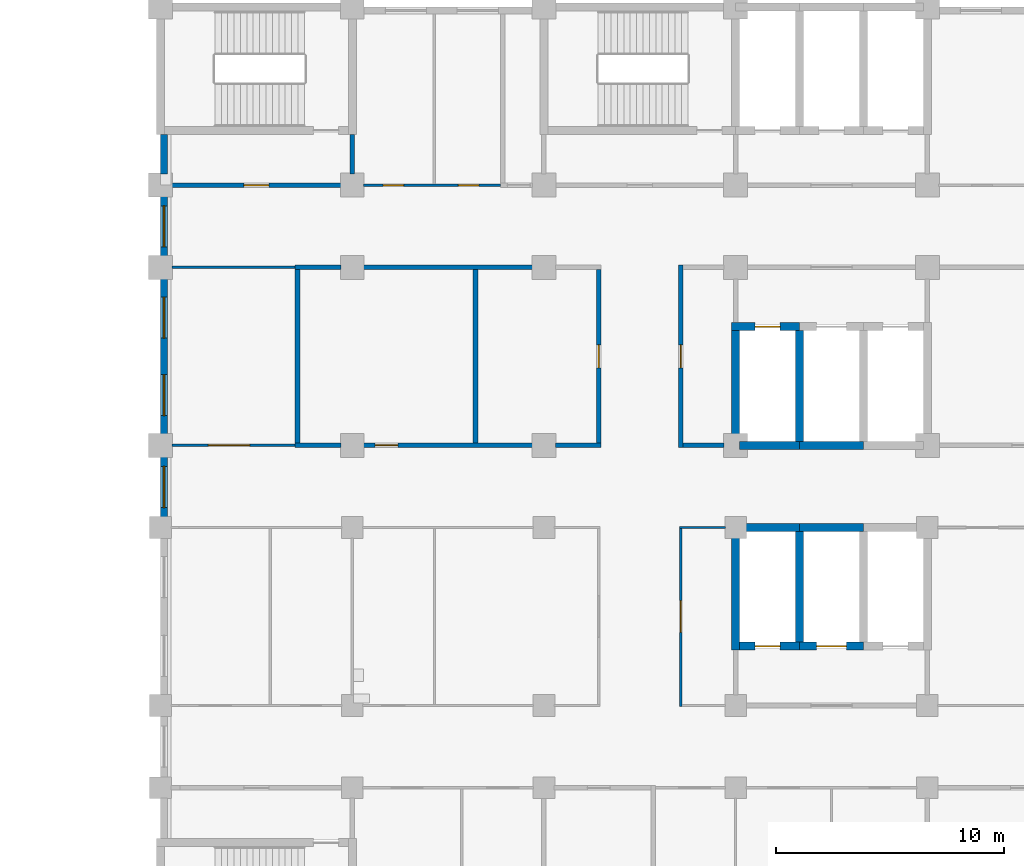
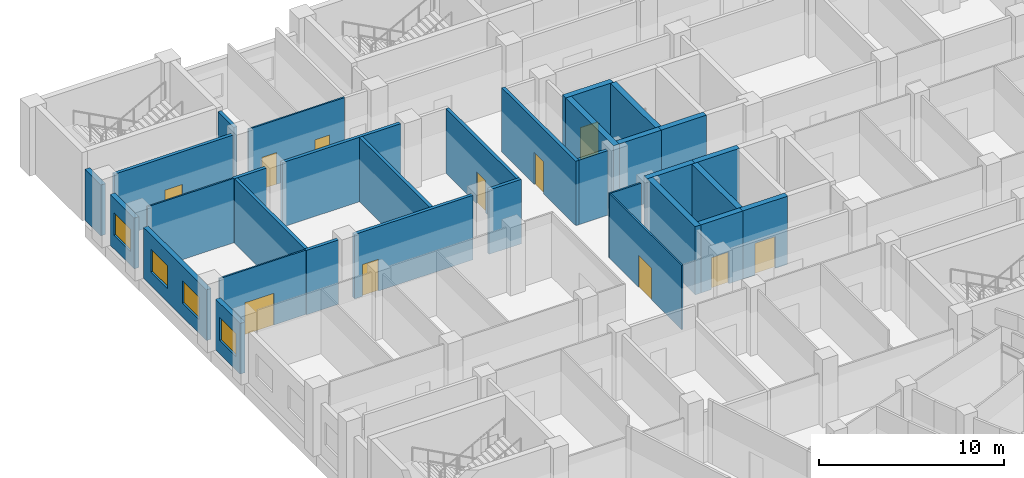
# One storey, part 68 of 136: 32 walls, 11 doors, 4 windows, 15 openings.
"""IFC4 building model written with IfcOpenShell, lengths in metres."""

from ifc_helpers import new_model, si_unit, direction, frame, frame_2d, origin, place, context, subcontext, project, spatial, rectangle, extrude, material, layer, layer_set, type_object, element, fill, save


model = new_model("IFC4")

# Units and contexts
model_context = context("Model", 3, precision=1e-05, world=origin(), true_north=direction((0.0, 1.0)))
body_context = subcontext(model_context, "Body", "Model", "MODEL_VIEW")
ifc_project = project(units=[si_unit("LENGTHUNIT", "METRE"), si_unit("AREAUNIT", "SQUARE_METRE"), si_unit("VOLUMEUNIT", "CUBIC_METRE"), si_unit("PLANEANGLEUNIT", "RADIAN"), si_unit("MASSUNIT", "GRAM", prefix="KILO")], contexts=[model_context])

# Site, building, storey
site_placement = place(None, origin())
site = spatial("IfcSite", under=ifc_project, at=site_placement, CompositionType="ELEMENT")
building_placement = place(site_placement, origin())
building = spatial("IfcBuilding", under=site, at=building_placement, Name="Bougainvillea Quay General Hospital", CompositionType="ELEMENT")
storey_placement = place(building_placement, frame((0.0, 0.0, 5.39990234375)))
storey = spatial("IfcBuildingStorey", under=building, at=storey_placement, Name="L01", CompositionType="ELEMENT", Elevation=5.39990234375)

# Wall, opening, window
ifc_material_1 = material(Name="Pale stone rainscreen cladding on insulated masonry backing, pale stone", Category="masonry")
ifc_layer_1 = layer(ifc_material_1, 0.300048828125)
ifc_layer_set_1 = layer_set([ifc_layer_1], Name="Pale stone rainscreen cladding on insulated masonry backing, pale stone")
wall_type_1 = type_object("IfcWallType", Name="External wall pale stone rainscreen 300", PredefinedType="STANDARD", material=ifc_layer_set_1)
wall_1_placement = place(storey_placement, frame((42.14990234375, 151.300048828125, 0.0), z_axis=(0.0, 0.0, 1.0), x_axis=(0.0, -1.0, 0.0)))
wall_1 = element("IfcWall", 1, at=wall_1_placement, inside=storey, type_object=wall_type_1, Name="External wall wall/V4/L01/p0/10b", PredefinedType="STANDARD", context=body_context, shape_type="SweptSolid", body=[
    extrude(rectangle(XDim=2.60009765625, YDim=0.300048828125, at=frame_2d((1.300048828125, 0.0))), origin(), (0.0, 0.0, 1.0), 3.35009765625),
])
opening_1_placement = place(wall_1_placement, frame((0.39990234375, 0.0, 0.89990234375)))
opening_1 = element("IfcOpeningElement", 2, at=opening_1_placement, cuts=wall_1, Name="Opening W1", PredefinedType="OPENING", context=body_context, shape_type="SweptSolid", body=[
    extrude(rectangle(XDim=1.800048828125, YDim=1.5, at=frame_2d((0.89990234375, 0.75))), frame((0.0, 0.159912109375, 0.0), z_axis=(0.0, -1.0, 0.0), x_axis=(1.0, 0.0, 0.0)), (0.0, 0.0, 1.0), 0.320068359375),
])
ifc_material_2 = material(Name="Aluminium window frame with low-e double glazed unit", Category="aluminium")
window_type = type_object("IfcWindowType", Name="Window W1 1800x1500", PartitioningType="DOUBLE_PANEL_VERTICAL", PredefinedType="WINDOW", material=ifc_material_2)
window_1_placement = place(opening_1_placement, origin())
window_1 = element("IfcWindow", 3, at=window_1_placement, inside=storey, type_object=window_type, Name="Window W1 1", OverallHeight=1.5, OverallWidth=1.800048828125, PartitioningType="SINGLE_PANEL", PredefinedType="WINDOW", context=body_context, shape_type="SweptSolid", body=[
    extrude(rectangle(XDim=1.800048828125, YDim=1.5, at=frame_2d((0.89990234375, 0.75))), frame((0.0, 0.030029296875, 0.0), z_axis=(0.0, -1.0, 0.0), x_axis=(1.0, 0.0, 0.0)), (0.0, 0.0, 1.0), 0.06005859375),
])
fill(opening_1, window_1)

# Wall, openings, windows
wall_2_placement = place(storey_placement, frame((42.14990234375, 147.699951171875, 0.0), z_axis=(0.0, 0.0, 1.0), x_axis=(0.0, -1.0, 0.0)))
wall_2 = element("IfcWall", 4, at=wall_2_placement, inside=storey, type_object=wall_type_1, Name="External wall wall/V4/L01/p0/10c", PredefinedType="STANDARD", context=body_context, shape_type="SweptSolid", body=[
    extrude(rectangle(XDim=6.800048828125, YDim=0.300048828125, at=frame_2d((3.39990234375, 0.0))), origin(), (0.0, 0.0, 1.0), 3.35009765625),
])
opening_2_placement = place(wall_2_placement, frame((0.800048828125, 0.0, 0.89990234375)))
opening_2 = element("IfcOpeningElement", 5, at=opening_2_placement, cuts=wall_2, Name="Opening W1", PredefinedType="OPENING", context=body_context, shape_type="SweptSolid", body=[
    extrude(rectangle(XDim=1.800048828125, YDim=1.5, at=frame_2d((0.89990234375, 0.75))), frame((0.0, 0.159912109375, 0.0), z_axis=(0.0, -1.0, 0.0), x_axis=(1.0, 0.0, 0.0)), (0.0, 0.0, 1.0), 0.320068359375),
])
opening_3_placement = place(wall_2_placement, frame((4.199951171875, 0.0, 0.89990234375)))
opening_3 = element("IfcOpeningElement", 6, at=opening_3_placement, cuts=wall_2, Name="Opening W1", PredefinedType="OPENING", context=body_context, shape_type="SweptSolid", body=[
    extrude(rectangle(XDim=1.800048828125, YDim=1.5, at=frame_2d((0.89990234375, 0.75))), frame((0.0, 0.159912109375, 0.0), z_axis=(0.0, -1.0, 0.0), x_axis=(1.0, 0.0, 0.0)), (0.0, 0.0, 1.0), 0.320068359375),
])
window_2_placement = place(opening_2_placement, origin())
window_2 = element("IfcWindow", 7, at=window_2_placement, inside=storey, type_object=window_type, Name="Window W1 1", OverallHeight=1.5, OverallWidth=1.800048828125, PartitioningType="SINGLE_PANEL", PredefinedType="WINDOW", context=body_context, shape_type="SweptSolid", body=[
    extrude(rectangle(XDim=1.800048828125, YDim=1.5, at=frame_2d((0.89990234375, 0.75))), frame((0.0, 0.030029296875, 0.0), z_axis=(0.0, -1.0, 0.0), x_axis=(1.0, 0.0, 0.0)), (0.0, 0.0, 1.0), 0.06005859375),
])
fill(opening_2, window_2)
window_3_placement = place(opening_3_placement, origin())
window_3 = element("IfcWindow", 8, at=window_3_placement, inside=storey, type_object=window_type, Name="Window W1 2", OverallHeight=1.5, OverallWidth=1.800048828125, PartitioningType="SINGLE_PANEL", PredefinedType="WINDOW", context=body_context, shape_type="SweptSolid", body=[
    extrude(rectangle(XDim=1.800048828125, YDim=1.5, at=frame_2d((0.89990234375, 0.75))), frame((0.0, 0.030029296875, 0.0), z_axis=(0.0, -1.0, 0.0), x_axis=(1.0, 0.0, 0.0)), (0.0, 0.0, 1.0), 0.06005859375),
])
fill(opening_3, window_3)

# Wall, opening, window
wall_3_placement = place(storey_placement, frame((42.14990234375, 139.89990234375, 0.0), z_axis=(0.0, 0.0, 1.0), x_axis=(0.0, -1.0, 0.0)))
wall_3 = element("IfcWall", 9, at=wall_3_placement, inside=storey, type_object=wall_type_1, Name="External wall wall/V4/L01/p0/10d", PredefinedType="STANDARD", context=body_context, shape_type="SweptSolid", body=[
    extrude(rectangle(XDim=2.64990234375, YDim=0.300048828125, at=frame_2d((1.324951171875, 0.0))), origin(), (0.0, 0.0, 1.0), 3.35009765625),
])
opening_4_placement = place(wall_3_placement, frame((0.425048828125, 0.0, 0.89990234375)))
opening_4 = element("IfcOpeningElement", 10, at=opening_4_placement, cuts=wall_3, Name="Opening W1", PredefinedType="OPENING", context=body_context, shape_type="SweptSolid", body=[
    extrude(rectangle(XDim=1.800048828125, YDim=1.5, at=frame_2d((0.89990234375, 0.75))), frame((0.0, 0.159912109375, 0.0), z_axis=(0.0, -1.0, 0.0), x_axis=(1.0, 0.0, 0.0)), (0.0, 0.0, 1.0), 0.320068359375),
])
window_4_placement = place(opening_4_placement, origin())
window_4 = element("IfcWindow", 11, at=window_4_placement, inside=storey, type_object=window_type, Name="Window W1 1", OverallHeight=1.5, OverallWidth=1.800048828125, PartitioningType="SINGLE_PANEL", PredefinedType="WINDOW", context=body_context, shape_type="SweptSolid", body=[
    extrude(rectangle(XDim=1.800048828125, YDim=1.5, at=frame_2d((0.89990234375, 0.75))), frame((0.0, 0.030029296875, 0.0), z_axis=(0.0, -1.0, 0.0), x_axis=(1.0, 0.0, 0.0)), (0.0, 0.0, 1.0), 0.06005859375),
])
fill(opening_4, window_4)

# Walls
ifc_material_3 = material(Name="Terracotta rainscreen cladding on insulated masonry backing, terracotta", Category="masonry")
ifc_layer_2 = layer(ifc_material_3, 0.300048828125)
ifc_layer_set_2 = layer_set([ifc_layer_2], Name="Terracotta rainscreen cladding on insulated masonry backing, terracotta")
wall_type_2 = type_object("IfcWallType", Name="External wall terracotta rainscreen 300", PredefinedType="STANDARD", material=ifc_layer_set_2)
wall_4_placement = place(storey_placement, frame((42.14990234375, 154.02490234375, 0.0), z_axis=(0.0, 0.0, 1.0), x_axis=(0.0, -1.0, 0.0)))
element("IfcWall", 12, at=wall_4_placement, inside=storey, type_object=wall_type_2, Name="External wall wall/V4/L01/p0/10a", PredefinedType="STANDARD", context=body_context, shape_type="SweptSolid", body=[
    extrude(rectangle(XDim=1.724853515625, YDim=0.300048828125, at=frame_2d((0.8623046875, 0.0))), origin(), (0.0, 0.0, 1.0), 3.35009765625),
])
ifc_material_4 = material(Name="Gypsum board partition on steel studs", Category="steel")
ifc_layer_3 = layer(ifc_material_4, 0.10009765625)
ifc_layer_set_3 = layer_set([ifc_layer_3], Name="Gypsum board partition on steel studs")
wall_type_3 = type_object("IfcWallType", Name="Partition 100 Gypsum board partition", PredefinedType="PARTITIONING", material=ifc_layer_set_3)
wall_5_placement = place(storey_placement, frame((66.75, 136.800048828125, 0.0), z_axis=(0.0, 0.0, 1.0), x_axis=(-1.0, 0.0, 0.0)))
element("IfcWall", 13, at=wall_5_placement, inside=storey, type_object=wall_type_3, Name="Partition 100 mm", PredefinedType="PARTITIONING", context=body_context, shape_type="SweptSolid", body=[
    extrude(rectangle(XDim=2.0, YDim=0.10009765625, at=frame_2d((1.0, 0.0))), origin(), (0.0, 0.0, 1.0), 4.25),
])

# Wall, openings, doors
wall_6_placement = place(storey_placement, frame((50.89990234375, 151.800048828125, 0.0), z_axis=(0.0, 0.0, 1.0), x_axis=(1.0, 0.0, 0.0)))
wall_6 = element("IfcWall", 14, at=wall_6_placement, inside=storey, type_object=wall_type_3, Name="Partition 100 mm", PredefinedType="PARTITIONING", context=body_context, shape_type="SweptSolid", body=[
    extrude(rectangle(XDim=5.998046875, YDim=0.10009765625, at=frame_2d((2.9990234375, 0.0))), origin(), (0.0, 0.0, 1.0), 4.25),
])
opening_5_placement = place(wall_6_placement, frame((0.84912109375, 0.0, 0.0)))
opening_5 = element("IfcOpeningElement", 15, at=opening_5_placement, cuts=wall_6, Name="Opening L01.184", PredefinedType="OPENING", context=body_context, shape_type="SweptSolid", body=[
    extrude(rectangle(XDim=0.89990234375, YDim=2.10009765625, at=frame_2d((0.449951171875, 1.050048828125))), frame((0.0, 0.06005859375, 0.0), z_axis=(0.0, -1.0, 0.0), x_axis=(1.0, 0.0, 0.0)), (0.0, 0.0, 1.0), 0.1201171875),
])
opening_6_placement = place(wall_6_placement, frame((4.14794921875, 0.0, 0.0)))
opening_6 = element("IfcOpeningElement", 16, at=opening_6_placement, cuts=wall_6, Name="Opening L01.185", PredefinedType="OPENING", context=body_context, shape_type="SweptSolid", body=[
    extrude(rectangle(XDim=0.89990234375, YDim=2.10009765625, at=frame_2d((0.449951171875, 1.050048828125))), frame((0.0, 0.06005859375, 0.0), z_axis=(0.0, -1.0, 0.0), x_axis=(1.0, 0.0, 0.0)), (0.0, 0.0, 1.0), 0.1201171875),
])
ifc_material_5 = material(Name="Solid-core timber door leaf in steel frame", Category="steel")
door_type_1 = type_object("IfcDoorType", Name="Single leaf door 900x2100", OperationType="NOTDEFINED", PredefinedType="DOOR", material=ifc_material_5)
door_1_placement = place(opening_5_placement, origin())
door_1 = element("IfcDoor", 17, at=door_1_placement, inside=storey, type_object=door_type_1, Name="DT07 L01.184", OperationType="SINGLE_SWING_LEFT", OverallHeight=2.10009765625, OverallWidth=0.89990234375, PredefinedType="DOOR", context=body_context, shape_type="SweptSolid", body=[
    extrude(rectangle(XDim=0.89990234375, YDim=2.10009765625, at=frame_2d((0.449951171875, 1.050048828125))), frame((0.0, 0.02490234375, 0.0), z_axis=(0.0, -1.0, 0.0), x_axis=(1.0, 0.0, 0.0)), (0.0, 0.0, 1.0), 0.050048828125),
])
fill(opening_5, door_1)
door_2_placement = place(opening_6_placement, origin())
door_2 = element("IfcDoor", 18, at=door_2_placement, inside=storey, type_object=door_type_1, Name="DT07 L01.185", OperationType="SINGLE_SWING_RIGHT", OverallHeight=2.10009765625, OverallWidth=0.89990234375, PredefinedType="DOOR", context=body_context, shape_type="SweptSolid", body=[
    extrude(rectangle(XDim=0.89990234375, YDim=2.10009765625, at=frame_2d((0.449951171875, 1.050048828125))), frame((0.0, 0.02490234375, 0.0), z_axis=(0.0, -1.0, 0.0), x_axis=(1.0, 0.0, 0.0)), (0.0, 0.0, 1.0), 0.050048828125),
])
fill(opening_6, door_2)

# Wall, opening, door
wall_7_placement = place(storey_placement, frame((64.800048828125, 128.949951171875, 0.0), z_axis=(0.0, 0.0, 1.0), x_axis=(0.0, 1.0, 0.0)))
wall_7 = element("IfcWall", 19, at=wall_7_placement, inside=storey, type_object=wall_type_3, Name="Partition 100 mm", PredefinedType="PARTITIONING", context=body_context, shape_type="SweptSolid", body=[
    extrude(rectangle(XDim=7.800048828125, YDim=0.10009765625, at=frame_2d((3.89990234375, 0.0))), origin(), (0.0, 0.0, 1.0), 4.25),
])
opening_7_placement = place(wall_7_placement, frame((3.25, 0.0, 0.0)))
opening_7 = element("IfcOpeningElement", 20, at=opening_7_placement, cuts=wall_7, Name="Opening L01.140", PredefinedType="OPENING", context=body_context, shape_type="SweptSolid", body=[
    extrude(rectangle(XDim=1.39990234375, YDim=2.10009765625, at=frame_2d((0.699951171875, 1.050048828125))), frame((0.0, 0.06005859375, 0.0), z_axis=(0.0, -1.0, 0.0), x_axis=(1.0, 0.0, 0.0)), (0.0, 0.0, 1.0), 0.1201171875),
])
ifc_material_6 = material(Name="Solid-core timber door leaves in steel frame", Category="steel")
door_type_2 = type_object("IfcDoorType", Name="Bed door pair 1400x2100", OperationType="DOUBLE_DOOR_SINGLE_SWING", PredefinedType="DOOR", material=ifc_material_6)
door_3_placement = place(opening_7_placement, frame((1.39990234375, 0.0, 0.0), z_axis=(0.0, 0.0, 1.0), x_axis=(-1.0, 0.0, 0.0)))
door_3 = element("IfcDoor", 21, at=door_3_placement, inside=storey, type_object=door_type_2, Name="DT09 L01.140", OperationType="DOUBLE_DOOR_SINGLE_SWING", OverallHeight=2.10009765625, OverallWidth=1.39990234375, PredefinedType="DOOR", context=body_context, shape_type="SweptSolid", body=[
    extrude(rectangle(XDim=1.39990234375, YDim=2.10009765625, at=frame_2d((0.699951171875, 1.050048828125))), frame((0.0, 0.02490234375, 0.0), z_axis=(0.0, -1.0, 0.0), x_axis=(1.0, 0.0, 0.0)), (0.0, 0.0, 1.0), 0.050048828125),
])
fill(opening_7, door_3)

wall_8_placement = place(storey_placement, frame((42.5, 140.39990234375, 0.0), z_axis=(0.0, 0.0, 1.0), x_axis=(1.0, 0.0, 0.0)))
wall_8 = element("IfcWall", 22, at=wall_8_placement, inside=storey, type_object=wall_type_3, Name="Partition 100 mm", PredefinedType="PARTITIONING", context=body_context, shape_type="SweptSolid", body=[
    extrude(rectangle(XDim=5.39990234375, YDim=0.10009765625, at=frame_2d((2.699951171875, 0.0))), origin(), (0.0, 0.0, 1.0), 4.25),
])
opening_8_placement = place(wall_8_placement, frame((1.60009765625, 0.0, 0.0)))
opening_8 = element("IfcOpeningElement", 23, at=opening_8_placement, cuts=wall_8, Name="Opening L01.181", PredefinedType="OPENING", context=body_context, shape_type="SweptSolid", body=[
    extrude(rectangle(XDim=1.800048828125, YDim=2.10009765625, at=frame_2d((0.89990234375, 1.050048828125))), frame((0.0, 0.06005859375, 0.0), z_axis=(0.0, -1.0, 0.0), x_axis=(1.0, 0.0, 0.0)), (0.0, 0.0, 1.0), 0.1201171875),
])
door_type_3 = type_object("IfcDoorType", Name="Double leaf door 1800x2100", OperationType="DOUBLE_DOOR_SINGLE_SWING", PredefinedType="DOOR", material=ifc_material_6)
door_4_placement = place(opening_8_placement, origin())
door_4 = element("IfcDoor", 24, at=door_4_placement, inside=storey, type_object=door_type_3, Name="DT08 L01.181", OperationType="DOUBLE_DOOR_SINGLE_SWING", OverallHeight=2.10009765625, OverallWidth=1.800048828125, PredefinedType="DOOR", context=body_context, shape_type="SweptSolid", body=[
    extrude(rectangle(XDim=1.800048828125, YDim=2.10009765625, at=frame_2d((0.89990234375, 1.050048828125))), frame((0.0, 0.02490234375, 0.0), z_axis=(0.0, -1.0, 0.0), x_axis=(1.0, 0.0, 0.0)), (0.0, 0.0, 1.0), 0.050048828125),
])
fill(opening_8, door_4)

# Wall
wall_9_placement = place(storey_placement, frame((42.5, 148.199951171875, 0.0), z_axis=(0.0, 0.0, 1.0), x_axis=(1.0, 0.0, 0.0)))
element("IfcWall", 25, at=wall_9_placement, inside=storey, type_object=wall_type_3, Name="Partition 100 mm", PredefinedType="PARTITIONING", context=body_context, shape_type="SweptSolid", body=[
    extrude(rectangle(XDim=5.39990234375, YDim=0.10009765625, at=frame_2d((2.699951171875, 0.0))), origin(), (0.0, 0.0, 1.0), 4.25),
])

# Wall, opening, door
ifc_material_7 = material(Name="Fire-rated autoclaved aerated block wall, plastered")
ifc_layer_4 = layer(ifc_material_7, 0.199951171875)
ifc_layer_set_4 = layer_set([ifc_layer_4], Name="Fire-rated autoclaved aerated block wall, plastered")
wall_type_4 = type_object("IfcWallType", Name="Partition 200 Fire-rated autoclaved aerated block wall EI 120", PredefinedType="SOLIDWALL", material=ifc_layer_set_4)
wall_10_placement = place(storey_placement, frame((42.5, 151.800048828125, 0.0), z_axis=(0.0, 0.0, 1.0), x_axis=(1.0, 0.0, 0.0)))
wall_10 = element("IfcWall", 26, at=wall_10_placement, inside=storey, type_object=wall_type_4, Name="Partition 200 mm EI 120", PredefinedType="SOLIDWALL", context=body_context, shape_type="SweptSolid", body=[
    extrude(rectangle(XDim=7.39990234375, YDim=0.199951171875, at=frame_2d((3.699951171875, 0.0))), origin(), (0.0, 0.0, 1.0), 4.25),
])
opening_9_placement = place(wall_10_placement, frame((3.14990234375, 0.0, 0.0)))
opening_9 = element("IfcOpeningElement", 27, at=opening_9_placement, cuts=wall_10, Name="Opening L01.035", PredefinedType="OPENING", context=body_context, shape_type="SweptSolid", body=[
    extrude(rectangle(XDim=1.10009765625, YDim=2.10009765625, at=frame_2d((0.550048828125, 1.050048828125))), frame((0.0, 0.10986328125, 0.0), z_axis=(0.0, -1.0, 0.0), x_axis=(1.0, 0.0, 0.0)), (0.0, 0.0, 1.0), 0.219970703125),
])
ifc_material_8 = material(Name="Steel fire door leaf in steel frame", Category="steel")
door_type_4 = type_object("IfcDoorType", Name="Steel single leaf door 1100x2100 FD60", OperationType="NOTDEFINED", PredefinedType="DOOR", material=ifc_material_8)
door_5_placement = place(opening_9_placement, origin())
door_5 = element("IfcDoor", 28, at=door_5_placement, inside=storey, type_object=door_type_4, Name="DT04 L01.035", OperationType="SINGLE_SWING_RIGHT", OverallHeight=2.10009765625, OverallWidth=1.10009765625, PredefinedType="DOOR", context=body_context, shape_type="SweptSolid", body=[
    extrude(rectangle(XDim=1.10009765625, YDim=2.10009765625, at=frame_2d((0.550048828125, 1.050048828125))), frame((0.0, 0.02490234375, 0.0), z_axis=(0.0, -1.0, 0.0), x_axis=(1.0, 0.0, 0.0)), (0.0, 0.0, 1.0), 0.050048828125),
])
fill(opening_9, door_5)

# Walls
wall_11_placement = place(storey_placement, frame((50.39990234375, 152.300048828125, 0.0), z_axis=(0.0, 0.0, 1.0), x_axis=(0.0, 1.0, 0.0)))
element("IfcWall", 29, at=wall_11_placement, inside=storey, type_object=wall_type_4, Name="Partition 200 mm EI 120", PredefinedType="SOLIDWALL", context=body_context, shape_type="SweptSolid", body=[
    extrude(rectangle(XDim=1.724853515625, YDim=0.199951171875, at=frame_2d((0.8623046875, 0.0))), origin(), (0.0, 0.0, 1.0), 4.25),
])
ifc_layer_5 = layer(ifc_material_7, 0.199951171875)
ifc_layer_set_5 = layer_set([ifc_layer_5], Name="Fire-rated autoclaved aerated block wall, plastered")
wall_type_5 = type_object("IfcWallType", Name="Partition 200 Fire-rated autoclaved aerated block wall EI 60", PredefinedType="SOLIDWALL", material=ifc_layer_set_5)
wall_12_placement = place(storey_placement, frame((47.89990234375, 140.39990234375, 0.0), z_axis=(0.0, 0.0, 1.0), x_axis=(1.0, 0.0, 0.0)))
element("IfcWall", 30, at=wall_12_placement, inside=storey, type_object=wall_type_5, Name="Partition 200 mm EI 60", PredefinedType="SOLIDWALL", context=body_context, shape_type="SweptSolid", body=[
    extrude(rectangle(XDim=2.0, YDim=0.199951171875, at=frame_2d((1.0, 0.0))), origin(), (0.0, 0.0, 1.0), 4.25),
])

# Wall, opening, door
wall_13_placement = place(storey_placement, frame((50.89990234375, 140.39990234375, 0.0), z_axis=(0.0, 0.0, 1.0), x_axis=(1.0, 0.0, 0.0)))
wall_13 = element("IfcWall", 31, at=wall_13_placement, inside=storey, type_object=wall_type_5, Name="Partition 200 mm EI 60", PredefinedType="SOLIDWALL", context=body_context, shape_type="SweptSolid", body=[
    extrude(rectangle(XDim=7.400146484375, YDim=0.199951171875, at=frame_2d((3.7001953125, 0.0))), origin(), (0.0, 0.0, 1.0), 4.25),
])
opening_10_placement = place(wall_13_placement, frame((0.5, 0.0, 0.0)))
opening_10 = element("IfcOpeningElement", 32, at=opening_10_placement, cuts=wall_13, Name="Opening L01.182", PredefinedType="OPENING", context=body_context, shape_type="SweptSolid", body=[
    extrude(rectangle(XDim=1.0, YDim=2.10009765625, at=frame_2d((0.5, 1.050048828125))), frame((0.0, 0.10986328125, 0.0), z_axis=(0.0, -1.0, 0.0), x_axis=(1.0, 0.0, 0.0)), (0.0, 0.0, 1.0), 0.219970703125),
])
door_type_5 = type_object("IfcDoorType", Name="Steel single leaf door 1000x2100 FD60", OperationType="NOTDEFINED", PredefinedType="DOOR", material=ifc_material_8)
door_6_placement = place(opening_10_placement, origin())
door_6 = element("IfcDoor", 33, at=door_6_placement, inside=storey, type_object=door_type_5, Name="DT10 L01.182", OperationType="SINGLE_SWING_LEFT", OverallHeight=2.10009765625, OverallWidth=1.0, PredefinedType="DOOR", context=body_context, shape_type="SweptSolid", body=[
    extrude(rectangle(XDim=1.0, YDim=2.10009765625, at=frame_2d((0.5, 1.050048828125))), frame((0.0, 0.02490234375, 0.0), z_axis=(0.0, -1.0, 0.0), x_axis=(1.0, 0.0, 0.0)), (0.0, 0.0, 1.0), 0.050048828125),
])
fill(opening_10, door_6)

# Walls
for number, where, z_axis, x_axis, name in (
    (34, (59.300048828125, 140.39990234375, 0.0), (0.0, 0.0, 1.0), (1.0, 0.0, 0.0), "Partition 200 mm EI 60"),
    (35, (47.89990234375, 148.199951171875, 0.0), (0.0, 0.0, 1.0), (1.0, 0.0, 0.0), "Partition 200 mm EI 60"),
):
    element("IfcWall", number, at=place(storey_placement, frame(where, z_axis=z_axis, x_axis=x_axis)), inside=storey, type_object=wall_type_5, Name=name, PredefinedType="SOLIDWALL", context=body_context, shape_type="SweptSolid", body=[
        extrude(rectangle(XDim=2.0, YDim=0.199951171875, at=frame_2d((1.0, 0.0))), origin(), (0.0, 0.0, 1.0), 4.25),
    ])
wall_14_placement = place(storey_placement, frame((50.89990234375, 148.199951171875, 0.0), z_axis=(0.0, 0.0, 1.0), x_axis=(1.0, 0.0, 0.0)))
element("IfcWall", 36, at=wall_14_placement, inside=storey, type_object=wall_type_5, Name="Partition 200 mm EI 60", PredefinedType="SOLIDWALL", context=body_context, shape_type="SweptSolid", body=[
    extrude(rectangle(XDim=7.400146484375, YDim=0.199951171875, at=frame_2d((3.7001953125, 0.0))), origin(), (0.0, 0.0, 1.0), 4.25),
])
for number, where, z_axis, x_axis, name in (
    (37, (48.0, 140.5, 0.0), (0.0, 0.0, 1.0), (0.0, 1.0, 0.0), "Partition 200 mm EI 60"),
    (38, (55.800048828125, 140.5, 0.0), (0.0, 0.0, 1.0), (0.0, 1.0, 0.0), "Partition 200 mm EI 60"),
):
    element("IfcWall", number, at=place(storey_placement, frame(where, z_axis=z_axis, x_axis=x_axis)), inside=storey, type_object=wall_type_5, Name=name, PredefinedType="SOLIDWALL", context=body_context, shape_type="SweptSolid", body=[
        extrude(rectangle(XDim=7.60009765625, YDim=0.199951171875, at=frame_2d((3.800048828125, 0.0))), origin(), (0.0, 0.0, 1.0), 4.25),
    ])

# Wall, opening, door
wall_15_placement = place(storey_placement, frame((61.199951171875, 140.5, 0.0), z_axis=(0.0, 0.0, 1.0), x_axis=(0.0, 1.0, 0.0)))
wall_15 = element("IfcWall", 39, at=wall_15_placement, inside=storey, type_object=wall_type_5, Name="Partition 200 mm EI 60", PredefinedType="SOLIDWALL", context=body_context, shape_type="SweptSolid", body=[
    extrude(rectangle(XDim=7.60009765625, YDim=0.199951171875, at=frame_2d((3.800048828125, 0.0))), origin(), (0.0, 0.0, 1.0), 4.25),
])
opening_11_placement = place(wall_15_placement, frame((3.300048828125, 0.0, 0.0)))
opening_11 = element("IfcOpeningElement", 40, at=opening_11_placement, cuts=wall_15, Name="Opening L01.183", PredefinedType="OPENING", context=body_context, shape_type="SweptSolid", body=[
    extrude(rectangle(XDim=1.0, YDim=2.10009765625, at=frame_2d((0.5, 1.050048828125))), frame((0.0, 0.10986328125, 0.0), z_axis=(0.0, -1.0, 0.0), x_axis=(1.0, 0.0, 0.0)), (0.0, 0.0, 1.0), 0.219970703125),
])
door_7_placement = place(opening_11_placement, origin())
door_7 = element("IfcDoor", 41, at=door_7_placement, inside=storey, type_object=door_type_5, Name="DT10 L01.183", OperationType="SINGLE_SWING_LEFT", OverallHeight=2.10009765625, OverallWidth=1.0, PredefinedType="DOOR", context=body_context, shape_type="SweptSolid", body=[
    extrude(rectangle(XDim=1.0, YDim=2.10009765625, at=frame_2d((0.5, 1.050048828125))), frame((0.0, 0.02490234375, 0.0), z_axis=(0.0, -1.0, 0.0), x_axis=(1.0, 0.0, 0.0)), (0.0, 0.0, 1.0), 0.050048828125),
])
fill(opening_11, door_7)

wall_16_placement = place(storey_placement, frame((64.800048828125, 140.300048828125, 0.0), z_axis=(0.0, 0.0, 1.0), x_axis=(0.0, 1.0, 0.0)))
wall_16 = element("IfcWall", 42, at=wall_16_placement, inside=storey, type_object=wall_type_5, Name="Partition 200 mm EI 60", PredefinedType="SOLIDWALL", context=body_context, shape_type="SweptSolid", body=[
    extrude(rectangle(XDim=8.0, YDim=0.199951171875, at=frame_2d((4.0, 0.0))), origin(), (0.0, 0.0, 1.0), 4.25),
])
opening_12_placement = place(wall_16_placement, frame((3.5, 0.0, 0.0)))
opening_12 = element("IfcOpeningElement", 43, at=opening_12_placement, cuts=wall_16, Name="Opening L01.187", PredefinedType="OPENING", context=body_context, shape_type="SweptSolid", body=[
    extrude(rectangle(XDim=1.0, YDim=2.10009765625, at=frame_2d((0.5, 1.050048828125))), frame((0.0, 0.10986328125, 0.0), z_axis=(0.0, -1.0, 0.0), x_axis=(1.0, 0.0, 0.0)), (0.0, 0.0, 1.0), 0.219970703125),
])
door_8_placement = place(opening_12_placement, frame((1.0, 0.0, 0.0), z_axis=(0.0, 0.0, 1.0), x_axis=(-1.0, 0.0, 0.0)))
door_8 = element("IfcDoor", 44, at=door_8_placement, inside=storey, type_object=door_type_5, Name="DT10 L01.187", OperationType="SINGLE_SWING_RIGHT", OverallHeight=2.10009765625, OverallWidth=1.0, PredefinedType="DOOR", context=body_context, shape_type="SweptSolid", body=[
    extrude(rectangle(XDim=1.0, YDim=2.10009765625, at=frame_2d((0.5, 1.050048828125))), frame((0.0, 0.02490234375, 0.0), z_axis=(0.0, -1.0, 0.0), x_axis=(1.0, 0.0, 0.0)), (0.0, 0.0, 1.0), 0.050048828125),
])
fill(opening_12, door_8)

# Walls
wall_17_placement = place(storey_placement, frame((64.89990234375, 140.39990234375, 0.0), z_axis=(0.0, 0.0, 1.0), x_axis=(1.0, 0.0, 0.0)))
element("IfcWall", 45, at=wall_17_placement, inside=storey, type_object=wall_type_5, Name="Partition 200 mm EI 60", PredefinedType="SOLIDWALL", context=body_context, shape_type="SweptSolid", body=[
    extrude(rectangle(XDim=1.800048828125, YDim=0.199951171875, at=frame_2d((0.89990234375, 0.0))), origin(), (0.0, 0.0, 1.0), 4.25),
])
ifc_material_9 = material(Name="Concrete C40", Category="concrete")
ifc_layer_6 = layer(ifc_material_9, 0.35009765625)
ifc_layer_set_6 = layer_set([ifc_layer_6], Name="Concrete C40")
wall_type_6 = type_object("IfcWallType", Name="RC SHEAR WALL 350 C40", PredefinedType="SHEAR", material=ifc_layer_set_6)
wall_18_placement = place(storey_placement, frame((67.02490234375, 136.800048828125, 0.0), z_axis=(0.0, 0.0, 1.0), x_axis=(1.0, 0.0, 0.0)))
element("IfcWall", 46, at=wall_18_placement, inside=storey, type_object=wall_type_6, Name="Shear wall L01", PredefinedType="SHEAR", context=body_context, shape_type="SweptSolid", body=[
    extrude(rectangle(XDim=2.97509765625, YDim=0.35009765625, at=frame_2d((1.487548828125, 0.0))), origin(), (0.0, 0.0, 1.0), 4.5),
])

# Wall, opening, door
wall_19_placement = place(storey_placement, frame((67.02490234375, 145.60009765625, 0.0), z_axis=(0.0, 0.0, 1.0), x_axis=(1.0, 0.0, 0.0)))
wall_19 = element("IfcWall", 47, at=wall_19_placement, inside=storey, type_object=wall_type_6, Name="Shear wall L01", PredefinedType="SHEAR", context=body_context, shape_type="SweptSolid", body=[
    extrude(rectangle(XDim=2.97509765625, YDim=0.35009765625, at=frame_2d((1.487548828125, 0.0))), origin(), (0.0, 0.0, 1.0), 4.5),
])
opening_13_placement = place(wall_19_placement, frame((1.02490234375, 0.0, 0.0)))
opening_13 = element("IfcOpeningElement", 48, at=opening_13_placement, cuts=wall_19, Name="Opening LD-A1.1-L01", PredefinedType="OPENING", context=body_context, shape_type="SweptSolid", body=[
    extrude(rectangle(XDim=1.10009765625, YDim=2.10009765625, at=frame_2d((0.550048828125, 1.050048828125))), frame((0.0, 0.18505859375, 0.0), z_axis=(0.0, -1.0, 0.0), x_axis=(1.0, 0.0, 0.0)), (0.0, 0.0, 1.0), 0.3701171875),
])
ifc_material_10 = material(Name="Stainless steel centre-opening landing door", Category="steel")
door_type_6 = type_object("IfcDoorType", Name="Lift landing door 1100x2100 E 120", OperationType="DOUBLE_DOOR_SLIDING", PredefinedType="DOOR", material=ifc_material_10)
door_9_placement = place(opening_13_placement, origin())
door_9 = element("IfcDoor", 49, at=door_9_placement, inside=storey, type_object=door_type_6, Name="Lift landing door LB-A1-1 L01", OperationType="DOUBLE_DOOR_SLIDING", OverallHeight=2.10009765625, OverallWidth=1.10009765625, PredefinedType="DOOR", context=body_context, shape_type="SweptSolid", body=[
    extrude(rectangle(XDim=1.10009765625, YDim=2.10009765625, at=frame_2d((0.550048828125, 1.050048828125))), frame((0.0, 0.02490234375, 0.0), z_axis=(0.0, -1.0, 0.0), x_axis=(1.0, 0.0, 0.0)), (0.0, 0.0, 1.0), 0.050048828125),
])
fill(opening_13, door_9)

# Walls
for number, where, z_axis, x_axis, name in (
    (50, (67.199951171875, 131.425048828125, 0.0), (0.0, 0.0, 1.0), (0.0, 1.0, 0.0), "Shear wall L01"),
    (51, (67.199951171875, 140.22509765625, 0.0), (0.0, 0.0, 1.0), (0.0, 1.0, 0.0), "Shear wall L01"),
):
    element("IfcWall", number, at=place(storey_placement, frame(where, z_axis=z_axis, x_axis=x_axis)), inside=storey, type_object=wall_type_6, Name=name, PredefinedType="SHEAR", context=body_context, shape_type="SweptSolid", body=[
        extrude(rectangle(XDim=5.199951171875, YDim=0.35009765625, at=frame_2d((2.60009765625, 0.0))), origin(), (0.0, 0.0, 1.0), 4.5),
    ])

# Wall, opening, door
wall_20_placement = place(storey_placement, frame((67.375, 131.60009765625, 0.0), z_axis=(0.0, 0.0, 1.0), x_axis=(1.0, 0.0, 0.0)))
wall_20 = element("IfcWall", 52, at=wall_20_placement, inside=storey, type_object=wall_type_6, Name="Shear wall L01", PredefinedType="SHEAR", context=body_context, shape_type="SweptSolid", body=[
    extrude(rectangle(XDim=2.625, YDim=0.35009765625, at=frame_2d((1.3125, 0.0))), origin(), (0.0, 0.0, 1.0), 4.5),
])
opening_14_placement = place(wall_20_placement, frame((0.675048828125, 0.0, 0.0)))
opening_14 = element("IfcOpeningElement", 53, at=opening_14_placement, cuts=wall_20, Name="Opening LD-B1.1-L01", PredefinedType="OPENING", context=body_context, shape_type="SweptSolid", body=[
    extrude(rectangle(XDim=1.10009765625, YDim=2.10009765625, at=frame_2d((0.550048828125, 1.050048828125))), frame((0.0, 0.18505859375, 0.0), z_axis=(0.0, -1.0, 0.0), x_axis=(1.0, 0.0, 0.0)), (0.0, 0.0, 1.0), 0.3701171875),
])
door_10_placement = place(opening_14_placement, origin())
door_10 = element("IfcDoor", 54, at=door_10_placement, inside=storey, type_object=door_type_6, Name="Lift landing door LB-B1-1 L01", OperationType="DOUBLE_DOOR_SLIDING", OverallHeight=2.10009765625, OverallWidth=1.10009765625, PredefinedType="DOOR", context=body_context, shape_type="SweptSolid", body=[
    extrude(rectangle(XDim=1.10009765625, YDim=2.10009765625, at=frame_2d((0.550048828125, 1.050048828125))), frame((0.0, 0.02490234375, 0.0), z_axis=(0.0, -1.0, 0.0), x_axis=(1.0, 0.0, 0.0)), (0.0, 0.0, 1.0), 0.050048828125),
])
fill(opening_14, door_10)

# Wall
wall_21_placement = place(storey_placement, frame((67.375, 140.39990234375, 0.0), z_axis=(0.0, 0.0, 1.0), x_axis=(1.0, 0.0, 0.0)))
element("IfcWall", 55, at=wall_21_placement, inside=storey, type_object=wall_type_6, Name="Shear wall L01", PredefinedType="SHEAR", context=body_context, shape_type="SweptSolid", body=[
    extrude(rectangle(XDim=2.625, YDim=0.35009765625, at=frame_2d((1.3125, 0.0))), origin(), (0.0, 0.0, 1.0), 4.5),
])

# Wall, opening, door
wall_22_placement = place(storey_placement, frame((70.0, 131.60009765625, 0.0), z_axis=(0.0, 0.0, 1.0), x_axis=(1.0, 0.0, 0.0)))
wall_22 = element("IfcWall", 56, at=wall_22_placement, inside=storey, type_object=wall_type_6, Name="Shear wall L01", PredefinedType="SHEAR", context=body_context, shape_type="SweptSolid", body=[
    extrude(rectangle(XDim=2.800048828125, YDim=0.35009765625, at=frame_2d((1.39990234375, 0.0))), origin(), (0.0, 0.0, 1.0), 4.5),
])
opening_15_placement = place(wall_22_placement, frame((0.75, 0.0, 0.0)))
opening_15 = element("IfcOpeningElement", 57, at=opening_15_placement, cuts=wall_22, Name="Opening LD-B1.2-L01", PredefinedType="OPENING", context=body_context, shape_type="SweptSolid", body=[
    extrude(rectangle(XDim=1.300048828125, YDim=2.10009765625, at=frame_2d((0.64990234375, 1.050048828125))), frame((0.0, 0.18505859375, 0.0), z_axis=(0.0, -1.0, 0.0), x_axis=(1.0, 0.0, 0.0)), (0.0, 0.0, 1.0), 0.3701171875),
])
door_type_7 = type_object("IfcDoorType", Name="Lift landing door 1300x2100 E 120", OperationType="DOUBLE_DOOR_SLIDING", PredefinedType="DOOR", material=ifc_material_10)
door_11_placement = place(opening_15_placement, origin())
door_11 = element("IfcDoor", 58, at=door_11_placement, inside=storey, type_object=door_type_7, Name="Lift landing door LB-B1-2 L01", OperationType="DOUBLE_DOOR_SLIDING", OverallHeight=2.10009765625, OverallWidth=1.300048828125, PredefinedType="DOOR", context=body_context, shape_type="SweptSolid", body=[
    extrude(rectangle(XDim=1.300048828125, YDim=2.10009765625, at=frame_2d((0.64990234375, 1.050048828125))), frame((0.0, 0.02490234375, 0.0), z_axis=(0.0, -1.0, 0.0), x_axis=(1.0, 0.0, 0.0)), (0.0, 0.0, 1.0), 0.050048828125),
])
fill(opening_15, door_11)

# Walls
wall_23_placement = place(storey_placement, frame((70.0, 131.77490234375, 0.0), z_axis=(0.0, 0.0, 1.0), x_axis=(0.0, 1.0, 0.0)))
element("IfcWall", 59, at=wall_23_placement, inside=storey, type_object=wall_type_6, Name="Shear wall L01", PredefinedType="SHEAR", context=body_context, shape_type="SweptSolid", body=[
    extrude(rectangle(XDim=4.85009765625, YDim=0.35009765625, at=frame_2d((2.425048828125, 0.0))), origin(), (0.0, 0.0, 1.0), 4.5),
])
for number, where, z_axis, x_axis, name in (
    (60, (70.0, 136.800048828125, 0.0), (0.0, 0.0, 1.0), (1.0, 0.0, 0.0), "Shear wall L01"),
    (61, (70.0, 140.39990234375, 0.0), (0.0, 0.0, 1.0), (1.0, 0.0, 0.0), "Shear wall L01"),
):
    element("IfcWall", number, at=place(storey_placement, frame(where, z_axis=z_axis, x_axis=x_axis)), inside=storey, type_object=wall_type_6, Name=name, PredefinedType="SHEAR", context=body_context, shape_type="SweptSolid", body=[
        extrude(rectangle(XDim=2.800048828125, YDim=0.35009765625, at=frame_2d((1.39990234375, 0.0))), origin(), (0.0, 0.0, 1.0), 4.5),
    ])
wall_24_placement = place(storey_placement, frame((70.0, 140.574951171875, 0.0), z_axis=(0.0, 0.0, 1.0), x_axis=(0.0, 1.0, 0.0)))
element("IfcWall", 62, at=wall_24_placement, inside=storey, type_object=wall_type_6, Name="Shear wall L01", PredefinedType="SHEAR", context=body_context, shape_type="SweptSolid", body=[
    extrude(rectangle(XDim=4.85009765625, YDim=0.35009765625, at=frame_2d((2.425048828125, 0.0))), origin(), (0.0, 0.0, 1.0), 4.5),
])

save(model, "model.ifc")
